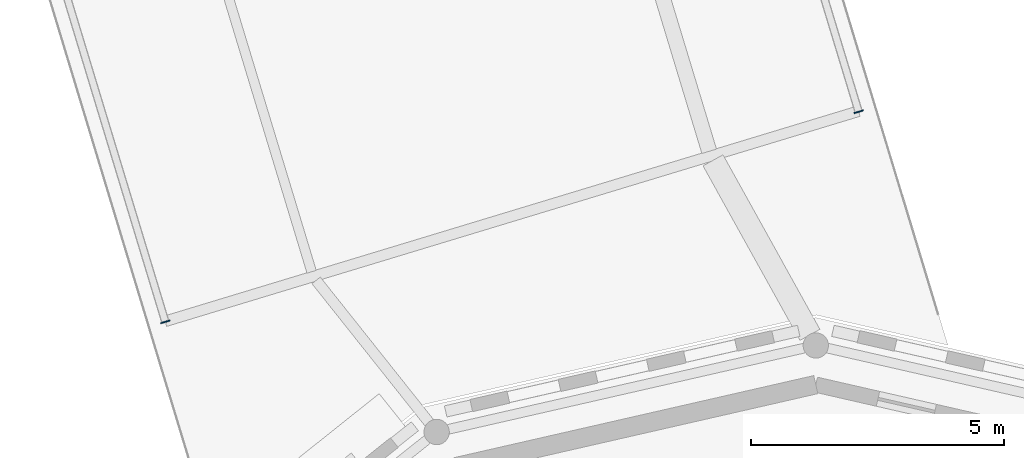
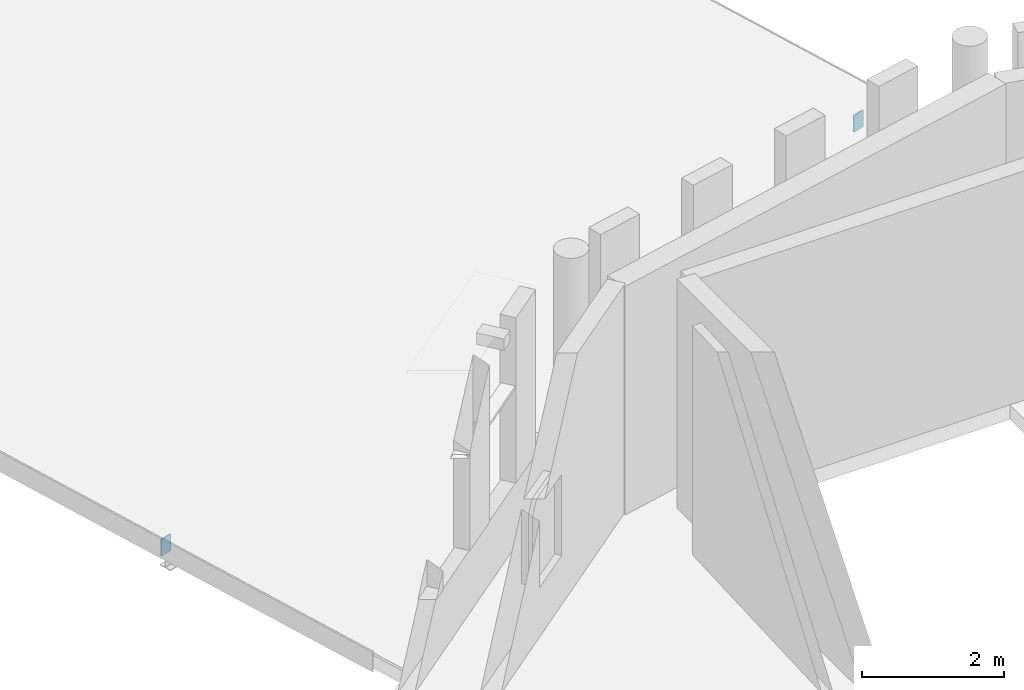
# One storey, part 29 of 68: 2 plates.
"""IFC4 building model written with IfcOpenShell, lengths in metres."""

from ifc_helpers import new_model, si_unit, direction, frame, origin, origin_2d, place, context, subcontext, project, spatial, rectangle, extrude, material, layer, layer_set, type_object, element, save


model = new_model("IFC4")

# Units and contexts
model_context = context("Model", 3, precision=1e-05, world=origin(), true_north=direction((0.0, 1.0)))
body_context = subcontext(model_context, "Body", "Model", "MODEL_VIEW")
ifc_project = project(units=[si_unit("LENGTHUNIT", "METRE"), si_unit("AREAUNIT", "SQUARE_METRE"), si_unit("VOLUMEUNIT", "CUBIC_METRE"), si_unit("PLANEANGLEUNIT", "RADIAN"), si_unit("MASSUNIT", "GRAM", prefix="KILO")], contexts=[model_context])

# Site, building, storey
site_placement = place(None, origin())
site = spatial("IfcSite", under=ifc_project, at=site_placement, CompositionType="ELEMENT")
building_placement = place(site_placement, origin())
building = spatial("IfcBuilding", under=site, at=building_placement, Name="Wrenclough Park School", CompositionType="ELEMENT")
storey_placement = place(building_placement, frame((0.0, 0.0, 12.60009765625)))
storey = spatial("IfcBuildingStorey", under=building, at=storey_placement, Name="L03", CompositionType="ELEMENT", Elevation=12.60009765625)

# Plates
ifc_material = material(Name="Structural steel S355", Category="steel")
ifc_layer = layer(ifc_material, 0.2900390625)
ifc_layer_set = layer_set([ifc_layer], Name="Structural steel S355")
plate_type = type_object("IfcPlateType", Name="STR-PL-EP250", PredefinedType="SHEET", material=ifc_layer_set)
for number, where, z_axis, x_axis, name in (
    (1, (23.660400390625, 41.216064453125, -0.5), (0.0, 0.0, 1.0), (-0.290034140915, 0.957016299288, 0.0), "W23 eave fascia L1 start sealing end-cap plate"),
    (2, (37.345947265625, 45.363037109375, -0.5), (0.0, 0.0, 1.0), (-0.290034140915, 0.957016299288, 0.0), "W23 eave fascia R1 start sealing end-cap plate"),
):
    element("IfcPlate", number, at=place(storey_placement, frame(where, z_axis=z_axis, x_axis=x_axis)), inside=storey, type_object=plate_type, Name=name, PredefinedType="SHEET", context=body_context, shape_type="SweptSolid", body=[
        extrude(rectangle(XDim=0.02197265625, YDim=0.18994140625, at=origin_2d()), origin(), (0.0, 0.0, 1.0), 0.2900390625),
    ])

save(model, "model.ifc")
